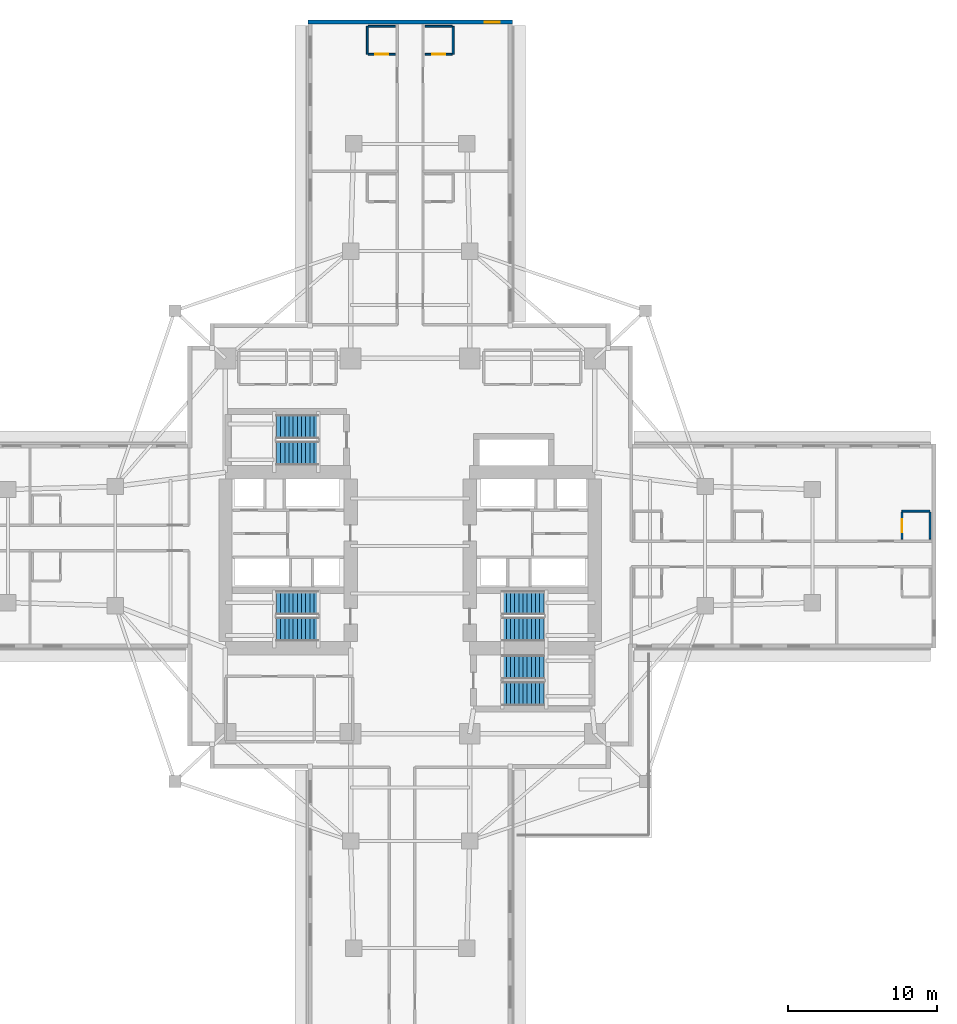
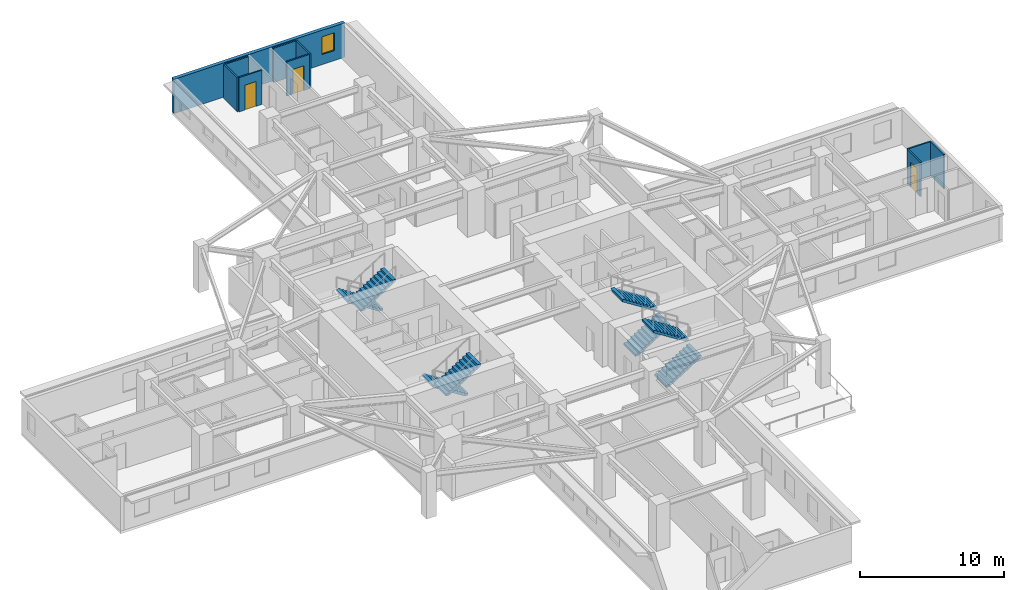
# One storey, part 8 of 13: 10 walls, 8 stair flights, 3 doors, 1 window, 4 openings, 4 elements without a shape of their own.
"""IFC4 building model written with IfcOpenShell, lengths in metres."""

import ifcopenshell
import ifcopenshell.guid

model = None  # the IFC model being written
_history = None  # IfcOwnerHistory: only IFC2X3 demands one
_inside = {}  # id of a spatial element -> (the spatial element, [elements in it])
_under = {}  # id of a project, library or spatial element -> (it, [spatial elements below it])
_declared = {}  # id of a project -> (the project, [libraries it declares])
_typed = {}  # id of a type object -> (the type object, [elements of that type])
_made_of = {}  # id of a material, layer set ... -> (it, [elements and type objects made of it])


def new_model(schema):
    """Start an empty IFC model of exactly this schema.

    Asked for "IFC4X3", IfcOpenShell would pick the latest addendum, in which some entities
    have other attributes; the version numbers below select the first issue.
    IFC2X3 requires an IfcOwnerHistory on every rooted entity: one is made here for all.
    """
    global model, _history
    if schema == "IFC4X3":
        model = ifcopenshell.file(schema_version=(4, 3, 0, 0))
    else:
        model = ifcopenshell.file(schema=schema)
    _inside.clear()
    _under.clear()
    _declared.clear()
    _typed.clear()
    _made_of.clear()
    _history = None
    if model.schema == "IFC2X3":
        org = make("IfcOrganization", Name="unknown")
        user = make(
            "IfcPersonAndOrganization",
            ThePerson=make("IfcPerson", FamilyName="unknown"),
            TheOrganization=org,
        )
        app = make(
            "IfcApplication",
            ApplicationDeveloper=org,
            Version="unknown",
            ApplicationFullName="unknown",
            ApplicationIdentifier="unknown",
        )
        _history = make(
            "IfcOwnerHistory",
            OwningUser=user,
            OwningApplication=app,
            ChangeAction="ADDED",
            CreationDate=0,
        )
    return model


def make(cls, **values):
    """One entity of the class cls with the attributes given. An attribute that is None is left unset."""
    return model.create_entity(
        cls, **{name: value for name, value in values.items() if value is not None}
    )


def rooted(cls, **values):
    """An entity with a GlobalId (a new one), such as an element, a storey or a relation."""
    return make(cls, GlobalId=ifcopenshell.guid.new(), OwnerHistory=_history, **values)


def si_unit(unit_type, name, prefix=None):
    """IfcSIUnit, for example si_unit("LENGTHUNIT", "METRE", prefix="MILLI")."""
    return make("IfcSIUnit", UnitType=unit_type, Prefix=prefix, Name=name)


def assignment(units):
    """IfcUnitAssignment: the units of a project."""
    return None if units is None else make("IfcUnitAssignment", Units=units)


def point(xyz):
    """IfcCartesianPoint."""
    return None if xyz is None else make("IfcCartesianPoint", Coordinates=xyz)


def direction(xyz):
    """IfcDirection."""
    return None if xyz is None else make("IfcDirection", DirectionRatios=xyz)


def frame(location, z_axis=None, x_axis=None):
    """IfcAxis2Placement3D, a coordinate frame: its origin and axes. An axis left out is left unset."""
    return make(
        "IfcAxis2Placement3D",
        Location=point(location),
        Axis=direction(z_axis),
        RefDirection=direction(x_axis),
    )


def frame_2d(location, x_axis=None):
    """IfcAxis2Placement2D, a coordinate frame in the plane: its origin and x axis."""
    return make(
        "IfcAxis2Placement2D", Location=point(location), RefDirection=direction(x_axis)
    )


def origin():
    """The frame at (0, 0, 0) with its axes left unset."""
    return frame((0.0, 0.0, 0.0))


def place(relative_to, where):
    """IfcLocalPlacement: puts the frame where relative to a parent placement (None: the world)."""
    return make(
        "IfcLocalPlacement", PlacementRelTo=relative_to, RelativePlacement=where
    )


def context(
    kind, dimensions, precision=None, world=None, true_north=None, identifier=None
):
    """IfcGeometricRepresentationContext, for example the 3D "Model" context."""
    return make(
        "IfcGeometricRepresentationContext",
        ContextIdentifier=identifier,
        ContextType=kind,
        CoordinateSpaceDimension=dimensions,
        Precision=precision,
        WorldCoordinateSystem=world,
        TrueNorth=true_north,
    )


def subcontext(parent, identifier, kind, view, scale=None):
    """IfcGeometricRepresentationSubContext, for example "Body" below "Model"."""
    return make(
        "IfcGeometricRepresentationSubContext",
        ContextIdentifier=identifier,
        ContextType=kind,
        ParentContext=parent,
        TargetScale=scale,
        TargetView=view,
    )


def project(units=None, contexts=None):
    """IfcProject with its units and contexts."""
    return rooted(
        "IfcProject",
        Name="project",
        RepresentationContexts=contexts,
        UnitsInContext=assignment(units),
    )


def spatial(cls, under=None, at=None, **own):
    """A site, building, storey or space (cls), placed at a placement, below another one or the project."""
    s = rooted(cls, ObjectPlacement=at, **own)
    if under is not None:
        _under.setdefault(under.id(), (under, []))[1].append(s)
    return s


def polyline(points):
    """IfcPolyline through the points."""
    return make("IfcPolyline", Points=[point(p) for p in points])


def profile(cls, at=None, kind="AREA", **sizes):
    """A parametric profile (cls). Its sizes go by their IFC names, for example OverallWidth=200.0."""
    return make(cls, ProfileType=kind, Position=at, **sizes)


def rectangle(**sizes):
    """IfcRectangleProfileDef."""
    return profile("IfcRectangleProfileDef", **sizes)


def outline(outer, holes=None, kind="AREA"):
    """IfcArbitraryClosedProfileDef: a profile drawn as a closed curve; with holes, ...WithVoids."""
    if holes is None:
        return make("IfcArbitraryClosedProfileDef", ProfileType=kind, OuterCurve=outer)
    return make(
        "IfcArbitraryProfileDefWithVoids",
        ProfileType=kind,
        OuterCurve=outer,
        InnerCurves=holes,
    )


def extrude(swept, where, along, depth):
    """IfcExtrudedAreaSolid: the profile swept, set in the frame where, extruded along a direction by depth."""
    return make(
        "IfcExtrudedAreaSolid",
        SweptArea=swept,
        Position=where,
        ExtrudedDirection=direction(along),
        Depth=depth,
    )


def shape(context_of_items, identifier, shape_type, items):
    """IfcShapeRepresentation: the items that make up one representation, for example the "Body"."""
    return make(
        "IfcShapeRepresentation",
        ContextOfItems=context_of_items,
        RepresentationIdentifier=identifier,
        RepresentationType=shape_type,
        Items=items,
    )


def material(Name=None, Category=None):
    """IfcMaterial."""
    return make("IfcMaterial", Name=Name, Category=Category)


def layer(
    of_material, thickness, ventilated=None, Name=None, Category=None, Priority=None
):
    """IfcMaterialLayer: one layer of a wall or slab, of a material (None: an air gap)."""
    return make(
        "IfcMaterialLayer",
        Material=of_material,
        LayerThickness=thickness,
        IsVentilated=ventilated,
        Name=Name,
        Category=Category,
        Priority=Priority,
    )


def layer_set(layers, Name=None):
    """IfcMaterialLayerSet."""
    return make("IfcMaterialLayerSet", MaterialLayers=layers, LayerSetName=Name)


def made_of(thing, what):
    """Note that an element or type object is made of a material, layer set ...; save() writes the relation."""
    if what is not None:
        _made_of.setdefault(what.id(), (what, []))[1].append(thing)
    return thing


def type_object(cls, material=None, **own):
    """A type object (cls), such as IfcWallType, which elements share."""
    return made_of(rooted(cls, **own), material)


def element(
    cls,
    number,
    at=None,
    inside=None,
    cuts=None,
    type_object=None,
    material=None,
    context=None,
    identifier="Body",
    shape_type=None,
    held_by="IfcProductDefinitionShape",
    body=None,
    shapes=None,
    **own,
):
    """One element of the class cls, such as IfcWall. Its Tag is "e" and its number.

    at: its placement. inside: the storey or other place that contains it. cuts: it is an
    opening in that element (IfcRelVoidsElement). A single representation is given by context,
    identifier, shape_type and body (its items); several are given by shapes. held_by: the class
    of the entity that holds the representations. save() writes the other relations.
    """
    e = rooted(cls, Tag="e%d" % number, ObjectPlacement=at, **own)
    if body is not None:
        shapes = [shape(context, identifier, shape_type, body)]
    if shapes is not None:
        e.Representation = make(held_by, Representations=shapes)
    if inside is not None:
        _inside.setdefault(inside.id(), (inside, []))[1].append(e)
    if cuts is not None:
        rooted(
            "IfcRelVoidsElement", RelatingBuildingElement=cuts, RelatedOpeningElement=e
        )
    if type_object is not None:
        _typed.setdefault(type_object.id(), (type_object, []))[1].append(e)
    return made_of(e, material)


def fill(opening, filler):
    """IfcRelFillsElement: the door or window that sits in an opening."""
    return rooted(
        "IfcRelFillsElement",
        RelatingOpeningElement=opening,
        RelatedBuildingElement=filler,
    )


def aggregate(whole, parts):
    """IfcRelAggregates: a whole, such as a stair, and the parts it consists of."""
    return rooted("IfcRelAggregates", RelatingObject=whole, RelatedObjects=parts)


def save(model, path):
    """Write the relations noted so far, then the file.

    IfcRelAggregates (storeys below a building ...), IfcRelContainedInSpatialStructure (elements
    in a storey), IfcRelDefinesByType, IfcRelAssociatesMaterial and IfcRelDeclares: one each for
    every whole, place, type object, material and project.
    """
    for whole, parts in _under.values():
        aggregate(whole, parts)
    for where, things in _inside.values():
        rooted(
            "IfcRelContainedInSpatialStructure",
            RelatedElements=things,
            RelatingStructure=where,
        )
    for kind, things in _typed.values():
        rooted("IfcRelDefinesByType", RelatedObjects=things, RelatingType=kind)
    for what, things in _made_of.values():
        rooted("IfcRelAssociatesMaterial", RelatedObjects=things, RelatingMaterial=what)
    for by, libraries in _declared.values():
        rooted("IfcRelDeclares", RelatingContext=by, RelatedDefinitions=libraries)
    model.write(path)


model = new_model("IFC4")

# Units and contexts
model_context = context("Model", 3, precision=1e-05, world=origin(), true_north=direction((0.0, 1.0)))
body_context = subcontext(model_context, "Body", "Model", "MODEL_VIEW")
ifc_project = project(units=[si_unit("LENGTHUNIT", "METRE"), si_unit("AREAUNIT", "SQUARE_METRE"), si_unit("VOLUMEUNIT", "CUBIC_METRE"), si_unit("PLANEANGLEUNIT", "RADIAN"), si_unit("MASSUNIT", "GRAM", prefix="KILO")], contexts=[model_context])

# Site, building, storey
site_placement = place(None, origin())
site = spatial("IfcSite", under=ifc_project, at=site_placement, CompositionType="ELEMENT")
building_placement = place(site_placement, origin())
building = spatial("IfcBuilding", under=site, at=building_placement, Name="Qingluan Cross Belvedere", CompositionType="ELEMENT")
storey_placement = place(building_placement, frame((0.0, 0.0, 63.89990234375)))
storey = spatial("IfcBuildingStorey", under=building, at=storey_placement, Name="L16", CompositionType="ELEMENT", Elevation=63.89990234375)

# Wall, opening, door
ifc_material_1 = material(Name="Moisture-resistant gypsum board lining")
ifc_layer_1 = layer(ifc_material_1, 0.1201171875, Name="EnsuiteWetPartition_120")
ifc_layer_set_1 = layer_set([ifc_layer_1], Name="Moisture-resistant gypsum board lining")
wall_type_1 = type_object("IfcWallType", Name="EnsuiteWetPartition_120", PredefinedType="PARTITIONING", material=ifc_layer_set_1)
wall_1_placement = place(storey_placement, frame((33.02001953125, 0.4599609375, 0.0), z_axis=(0.0, 0.0, 1.0), x_axis=(0.0, 1.0, 0.0)))
wall_1 = element("IfcWall", 1, at=wall_1_placement, inside=storey, type_object=wall_type_1, Name="Partition L16:E:bs0_2", PredefinedType="PARTITIONING", context=body_context, shape_type="SweptSolid", body=[
    extrude(rectangle(XDim=1.820068359375, YDim=0.1201171875, at=frame_2d((0.91015625, 0.0))), origin(), (0.0, 0.0, 1.0), 2.900146484375),
])
opening_1_placement = place(wall_1_placement, frame((0.469970703125, 0.0, 0.0)))
opening_1 = element("IfcOpeningElement", 2, at=opening_1_placement, cuts=wall_1, Name="Opening BD-09", PredefinedType="OPENING", context=body_context, shape_type="SweptSolid", body=[
    extrude(rectangle(XDim=0.8798828125, YDim=2.10009765625, at=frame_2d((0.43994140625, 1.050048828125))), frame((0.0, 0.070068359375, 0.0), z_axis=(0.0, -1.0, 0.0), x_axis=(1.0, 0.0, 0.0)), (0.0, 0.0, 1.0), 0.14013671875),
])
ifc_material_2 = material(Name="Moisture-sealed timber en-suite door", Category="wood")
door_type = type_object("IfcDoorType", Name="BathroomDoor_880", OperationType="NOTDEFINED", PredefinedType="DOOR", material=ifc_material_2)
door_1_placement = place(opening_1_placement, origin())
door_1 = element("IfcDoor", 3, at=door_1_placement, inside=storey, type_object=door_type, Name="Bathroom door 1603", OperationType="SINGLE_SWING_RIGHT", OverallHeight=2.10009765625, OverallWidth=0.8798828125, PredefinedType="DOOR", context=body_context, shape_type="SweptSolid", body=[
    extrude(rectangle(XDim=0.8798828125, YDim=2.10009765625, at=frame_2d((0.43994140625, 1.050048828125))), frame((0.0, 0.02490234375, 0.0), z_axis=(0.0, -1.0, 0.0), x_axis=(1.0, 0.0, 0.0)), (0.0, 0.0, 1.0), 0.050048828125),
])
fill(opening_1, door_1)

# Walls
wall_2_placement = place(storey_placement, frame((34.89990234375, 0.4599609375, 0.0), z_axis=(0.0, 0.0, 1.0), x_axis=(0.0, 1.0, 0.0)))
element("IfcWall", 4, at=wall_2_placement, inside=storey, type_object=wall_type_1, Name="Partition L16:E:bw0_2", PredefinedType="PARTITIONING", context=body_context, shape_type="SweptSolid", body=[
    extrude(rectangle(XDim=1.820068359375, YDim=0.1201171875, at=frame_2d((0.91015625, 0.0))), origin(), (0.0, 0.0, 1.0), 2.900146484375),
])
wall_3_placement = place(storey_placement, frame((33.02001953125, 2.344970703125, 0.0), z_axis=(0.0, 0.0, 1.0), x_axis=(1.0, 0.0, 0.0)))
element("IfcWall", 5, at=wall_3_placement, inside=storey, type_object=wall_type_1, Name="Partition L16:E:bn0_2", PredefinedType="PARTITIONING", context=body_context, shape_type="SweptSolid", body=[
    extrude(rectangle(XDim=1.8798828125, YDim=0.1201171875, at=frame_2d((0.93994140625, 0.0))), origin(), (0.0, 0.0, 1.0), 2.900146484375),
])

# Wall, opening, door
wall_4_placement = place(storey_placement, frame((1.0, 33.02001953125, 0.0), z_axis=(0.0, 0.0, 1.0), x_axis=(1.0, 0.0, 0.0)))
wall_4 = element("IfcWall", 6, at=wall_4_placement, inside=storey, type_object=wall_type_1, Name="Partition L16:N:bs0_1", PredefinedType="PARTITIONING", context=body_context, shape_type="SweptSolid", body=[
    extrude(rectangle(XDim=1.820068359375, YDim=0.1201171875, at=frame_2d((0.91015625, 0.0))), origin(), (0.0, 0.0, 1.0), 2.900146484375),
])
opening_2_placement = place(wall_4_placement, frame((0.469970703125, 0.0, 0.0)))
opening_2 = element("IfcOpeningElement", 7, at=opening_2_placement, cuts=wall_4, Name="Opening BD-09", PredefinedType="OPENING", context=body_context, shape_type="SweptSolid", body=[
    extrude(rectangle(XDim=0.8798828125, YDim=2.10009765625, at=frame_2d((0.43994140625, 1.050048828125))), frame((0.0, 0.070068359375, 0.0), z_axis=(0.0, -1.0, 0.0), x_axis=(1.0, 0.0, 0.0)), (0.0, 0.0, 1.0), 0.14013671875),
])
door_2_placement = place(opening_2_placement, origin())
door_2 = element("IfcDoor", 8, at=door_2_placement, inside=storey, type_object=door_type, Name="Bathroom door 1612", OperationType="SINGLE_SWING_RIGHT", OverallHeight=2.10009765625, OverallWidth=0.8798828125, PredefinedType="DOOR", context=body_context, shape_type="SweptSolid", body=[
    extrude(rectangle(XDim=0.8798828125, YDim=2.10009765625, at=frame_2d((0.43994140625, 1.050048828125))), frame((0.0, 0.02490234375, 0.0), z_axis=(0.0, -1.0, 0.0), x_axis=(1.0, 0.0, 0.0)), (0.0, 0.0, 1.0), 0.050048828125),
])
fill(opening_2, door_2)

# Walls
wall_5_placement = place(storey_placement, frame((1.0, 34.89990234375, 0.0), z_axis=(0.0, 0.0, 1.0), x_axis=(1.0, 0.0, 0.0)))
element("IfcWall", 9, at=wall_5_placement, inside=storey, type_object=wall_type_1, Name="Partition L16:N:bw0_1", PredefinedType="PARTITIONING", context=body_context, shape_type="SweptSolid", body=[
    extrude(rectangle(XDim=1.820068359375, YDim=0.1201171875, at=frame_2d((0.91015625, 0.0))), origin(), (0.0, 0.0, 1.0), 2.900146484375),
])
wall_6_placement = place(storey_placement, frame((2.885009765625, 33.02001953125, 0.0), z_axis=(0.0, 0.0, 1.0), x_axis=(0.0, 1.0, 0.0)))
element("IfcWall", 10, at=wall_6_placement, inside=storey, type_object=wall_type_1, Name="Partition L16:N:bn0_1", PredefinedType="PARTITIONING", context=body_context, shape_type="SweptSolid", body=[
    extrude(rectangle(XDim=1.8798828125, YDim=0.1201171875, at=frame_2d((0.93994140625, 0.0))), origin(), (0.0, 0.0, 1.0), 2.900146484375),
])

# Wall, opening, door
wall_7_placement = place(storey_placement, frame((-2.820068359375, 33.02001953125, 0.0), z_axis=(0.0, 0.0, 1.0), x_axis=(1.0, 0.0, 0.0)))
wall_7 = element("IfcWall", 11, at=wall_7_placement, inside=storey, type_object=wall_type_1, Name="Partition L16:N:bs1_1", PredefinedType="PARTITIONING", context=body_context, shape_type="SweptSolid", body=[
    extrude(rectangle(XDim=1.820068359375, YDim=0.1201171875, at=frame_2d((0.91015625, 0.0))), origin(), (0.0, 0.0, 1.0), 2.900146484375),
])
opening_3_placement = place(wall_7_placement, frame((0.469970703125, 0.0, 0.0)))
opening_3 = element("IfcOpeningElement", 12, at=opening_3_placement, cuts=wall_7, Name="Opening BD-09", PredefinedType="OPENING", context=body_context, shape_type="SweptSolid", body=[
    extrude(rectangle(XDim=0.8798828125, YDim=2.10009765625, at=frame_2d((0.43994140625, 1.050048828125))), frame((0.0, 0.070068359375, 0.0), z_axis=(0.0, -1.0, 0.0), x_axis=(1.0, 0.0, 0.0)), (0.0, 0.0, 1.0), 0.14013671875),
])
door_3_placement = place(opening_3_placement, origin())
door_3 = element("IfcDoor", 13, at=door_3_placement, inside=storey, type_object=door_type, Name="Bathroom door 1614", OperationType="SINGLE_SWING_RIGHT", OverallHeight=2.10009765625, OverallWidth=0.8798828125, PredefinedType="DOOR", context=body_context, shape_type="SweptSolid", body=[
    extrude(rectangle(XDim=0.8798828125, YDim=2.10009765625, at=frame_2d((0.43994140625, 1.050048828125))), frame((0.0, 0.02490234375, 0.0), z_axis=(0.0, -1.0, 0.0), x_axis=(1.0, 0.0, 0.0)), (0.0, 0.0, 1.0), 0.050048828125),
])
fill(opening_3, door_3)

# Walls
wall_8_placement = place(storey_placement, frame((-2.820068359375, 34.89990234375, 0.0), z_axis=(0.0, 0.0, 1.0), x_axis=(1.0, 0.0, 0.0)))
element("IfcWall", 14, at=wall_8_placement, inside=storey, type_object=wall_type_1, Name="Partition L16:N:bw1_1", PredefinedType="PARTITIONING", context=body_context, shape_type="SweptSolid", body=[
    extrude(rectangle(XDim=1.820068359375, YDim=0.1201171875, at=frame_2d((0.91015625, 0.0))), origin(), (0.0, 0.0, 1.0), 2.900146484375),
])
wall_9_placement = place(storey_placement, frame((-2.885009765625, 33.02001953125, 0.0), z_axis=(0.0, 0.0, 1.0), x_axis=(0.0, 1.0, 0.0)))
element("IfcWall", 15, at=wall_9_placement, inside=storey, type_object=wall_type_1, Name="Partition L16:N:bc1_1", PredefinedType="PARTITIONING", context=body_context, shape_type="SweptSolid", body=[
    extrude(rectangle(XDim=1.8798828125, YDim=0.1201171875, at=frame_2d((0.93994140625, 0.0))), origin(), (0.0, 0.0, 1.0), 2.900146484375),
])

# Wall, opening, window
ifc_material_3 = material(Name="Precast concrete C45", Category="concrete")
ifc_layer_2 = layer(ifc_material_3, 0.280029296875, Name="PrecastFacadeWall_280")
ifc_layer_set_2 = layer_set([ifc_layer_2], Name="Precast concrete C45")
wall_type_2 = type_object("IfcWallType", Name="PrecastFacadeWall_280", PredefinedType="STANDARD", material=ifc_layer_set_2)
wall_10_placement = place(storey_placement, frame((6.860107421875, 35.179931640625, 0.0), z_axis=(0.0, 0.0, 1.0), x_axis=(-1.0, 0.0, 0.0)))
wall_10 = element("IfcWall", 16, at=wall_10_placement, inside=storey, type_object=wall_type_2, Name="Arm tip precast facade wall L16-N", PredefinedType="STANDARD", context=body_context, shape_type="SweptSolid", body=[
    extrude(rectangle(XDim=13.72021484375, YDim=0.280029296875, at=frame_2d((6.860107421875, 0.0))), origin(), (0.0, 0.0, 1.0), 2.91015625),
])
opening_4_placement = place(wall_10_placement, frame((0.85009765625, 0.0, 0.85009765625)))
opening_4 = element("IfcOpeningElement", 17, at=opening_4_placement, cuts=wall_10, Name="Opening W-03", PredefinedType="OPENING", context=body_context, shape_type="SweptSolid", body=[
    extrude(rectangle(XDim=1.0, YDim=1.5, at=frame_2d((0.5, 0.75))), frame((0.0, 0.14990234375, 0.0), z_axis=(0.0, -1.0, 0.0), x_axis=(1.0, 0.0, 0.0)), (0.0, 0.0, 1.0), 0.300048828125),
])
ifc_material_4 = material(Name="Thermally broken triple Low-E glass in aluminium frame", Category="aluminium")
window_type = type_object("IfcWindowType", Name="TriApexWin_1000x1500", PartitioningType="SINGLE_PANEL", PredefinedType="WINDOW", material=ifc_material_4)
window_placement = place(opening_4_placement, origin())
window = element("IfcWindow", 18, at=window_placement, inside=storey, type_object=window_type, Name="Arm tip triangular window L16-N", OverallHeight=1.5, OverallWidth=1.0, PartitioningType="SINGLE_PANEL", PredefinedType="WINDOW", context=body_context, shape_type="SweptSolid", body=[
    extrude(rectangle(XDim=1.0, YDim=1.5, at=frame_2d((0.5, 0.75))), frame((0.0, 0.030029296875, 0.0), z_axis=(0.0, -1.0, 0.0), x_axis=(1.0, 0.0, 0.0)), (0.0, 0.0, 1.0), 0.06005859375),
])
fill(opening_4, window)

# Stair, stair flights
ifc_material_5 = material(Name="Concrete C40", Category="concrete")
stair_type = type_object("IfcStairType", Name="CoreDoglegStair_1620", PredefinedType="HALF_TURN_STAIR", material=ifc_material_5)
stair_1_placement = place(storey_placement, origin())
stair_1 = element("IfcStair", 19, at=stair_1_placement, inside=storey, type_object=stair_type, Name="L16 ST1", PredefinedType="HALF_TURN_STAIR")
ifc_material_6 = material(Name="Concrete C40", Category="concrete")
ifc_layer_3 = layer(ifc_material_6, 0.179931640625, Name="StairFlight_RC180")
ifc_layer_set_3 = layer_set([ifc_layer_3], Name="Concrete C40")
stair_flight_type = type_object("IfcStairFlightType", Name="StairFlight_RC180", PredefinedType="STRAIGHT", material=ifc_layer_set_3)
stair_flight_1_placement = place(storey_placement, frame((-6.179931640625, -3.81005859375, 0.0), z_axis=(0.0, 0.0, 1.0), x_axis=(-1.0, 0.0, 0.0)))
stair_flight_1 = element("IfcStairFlight", 20, at=stair_flight_1_placement, type_object=stair_flight_type, Name="ST1 flight 1", NumberOfRisers=11, NumberOfTreads=10, PredefinedType="STRAIGHT", RiserHeight=0.177272727, TreadLength=0.28, context=body_context, shape_type="SweptSolid", body=[
    extrude(outline(polyline([(0.0, 0.0), (0.0, 0.17724609375), (0.280029296875, 0.17724609375), (0.280029296875, 0.3544921875), (0.56005859375, 0.3544921875), (0.56005859375, 0.53173828125), (0.840087890625, 0.53173828125), (0.840087890625, 0.708984375), (1.1201171875, 0.708984375), (1.1201171875, 0.886474609375), (1.39990234375, 0.886474609375), (1.39990234375, 1.063720703125), (1.679931640625, 1.063720703125), (1.679931640625, 1.240966796875), (1.9599609375, 1.240966796875), (1.9599609375, 1.418212890625), (2.239990234375, 1.418212890625), (2.239990234375, 1.595458984375), (2.52001953125, 1.595458984375), (2.52001953125, 1.772705078125), (2.800048828125, 1.772705078125), (2.800048828125, 1.949951171875), (2.800048828125, 1.59521484375), (0.2802734375, 0.0), (0.0, 0.0)])), frame((0.0, 0.81005859375, 0.0), z_axis=(0.0, -1.0, 0.0), x_axis=(1.0, 0.0, 0.0)), (0.0, 0.0, 1.0), 1.6201171875),
])
stair_flight_2_placement = place(storey_placement, frame((-8.97998046875, -5.590087890625, 1.9501953125), z_axis=(0.0, 0.0, 1.0), x_axis=(1.0, 0.0, 0.0)))
stair_flight_2 = element("IfcStairFlight", 21, at=stair_flight_2_placement, type_object=stair_flight_type, Name="ST1 flight 2", NumberOfRisers=11, NumberOfTreads=10, PredefinedType="STRAIGHT", RiserHeight=0.177272727, TreadLength=0.28, context=body_context, shape_type="SweptSolid", body=[
    extrude(outline(polyline([(0.0, 0.0), (0.0, 0.17724609375), (0.280029296875, 0.17724609375), (0.280029296875, 0.3544921875), (0.56005859375, 0.3544921875), (0.56005859375, 0.53173828125), (0.840087890625, 0.53173828125), (0.840087890625, 0.708984375), (1.1201171875, 0.708984375), (1.1201171875, 0.886474609375), (1.39990234375, 0.886474609375), (1.39990234375, 1.063720703125), (1.679931640625, 1.063720703125), (1.679931640625, 1.240966796875), (1.9599609375, 1.240966796875), (1.9599609375, 1.418212890625), (2.239990234375, 1.418212890625), (2.239990234375, 1.595458984375), (2.52001953125, 1.595458984375), (2.52001953125, 1.772705078125), (2.800048828125, 1.772705078125), (2.800048828125, 1.949951171875), (2.800048828125, 1.59521484375), (0.2802734375, 0.0), (0.0, 0.0)])), frame((0.0, 0.81005859375, 0.0), z_axis=(0.0, -1.0, 0.0), x_axis=(1.0, 0.0, 0.0)), (0.0, 0.0, 1.0), 1.6201171875),
])
aggregate(stair_1, [stair_flight_1, stair_flight_2])

stair_2_placement = place(storey_placement, origin())
stair_2 = element("IfcStair", 22, at=stair_2_placement, inside=storey, type_object=stair_type, Name="L16 ST2", PredefinedType="HALF_TURN_STAIR")
stair_flight_3_placement = place(storey_placement, frame((6.179931640625, -5.590087890625, 0.0), z_axis=(0.0, 0.0, 1.0), x_axis=(1.0, 0.0, 0.0)))
stair_flight_3 = element("IfcStairFlight", 23, at=stair_flight_3_placement, type_object=stair_flight_type, Name="ST2 flight 1", NumberOfRisers=11, NumberOfTreads=10, PredefinedType="STRAIGHT", RiserHeight=0.177272727, TreadLength=0.28, context=body_context, shape_type="SweptSolid", body=[
    extrude(outline(polyline([(0.0, 0.0), (0.0, 0.17724609375), (0.280029296875, 0.17724609375), (0.280029296875, 0.3544921875), (0.56005859375, 0.3544921875), (0.56005859375, 0.53173828125), (0.840087890625, 0.53173828125), (0.840087890625, 0.708984375), (1.1201171875, 0.708984375), (1.1201171875, 0.886474609375), (1.39990234375, 0.886474609375), (1.39990234375, 1.063720703125), (1.679931640625, 1.063720703125), (1.679931640625, 1.240966796875), (1.9599609375, 1.240966796875), (1.9599609375, 1.418212890625), (2.239990234375, 1.418212890625), (2.239990234375, 1.595458984375), (2.52001953125, 1.595458984375), (2.52001953125, 1.772705078125), (2.800048828125, 1.772705078125), (2.800048828125, 1.949951171875), (2.800048828125, 1.59521484375), (0.2802734375, 0.0), (0.0, 0.0)])), frame((0.0, 0.81005859375, 0.0), z_axis=(0.0, -1.0, 0.0), x_axis=(1.0, 0.0, 0.0)), (0.0, 0.0, 1.0), 1.6201171875),
])
stair_flight_4_placement = place(storey_placement, frame((8.97998046875, -3.81005859375, 1.9501953125), z_axis=(0.0, 0.0, 1.0), x_axis=(-1.0, 0.0, 0.0)))
stair_flight_4 = element("IfcStairFlight", 24, at=stair_flight_4_placement, type_object=stair_flight_type, Name="ST2 flight 2", NumberOfRisers=11, NumberOfTreads=10, PredefinedType="STRAIGHT", RiserHeight=0.177272727, TreadLength=0.28, context=body_context, shape_type="SweptSolid", body=[
    extrude(outline(polyline([(0.0, 0.0), (0.0, 0.17724609375), (0.280029296875, 0.17724609375), (0.280029296875, 0.3544921875), (0.56005859375, 0.3544921875), (0.56005859375, 0.53173828125), (0.840087890625, 0.53173828125), (0.840087890625, 0.708984375), (1.1201171875, 0.708984375), (1.1201171875, 0.886474609375), (1.39990234375, 0.886474609375), (1.39990234375, 1.063720703125), (1.679931640625, 1.063720703125), (1.679931640625, 1.240966796875), (1.9599609375, 1.240966796875), (1.9599609375, 1.418212890625), (2.239990234375, 1.418212890625), (2.239990234375, 1.595458984375), (2.52001953125, 1.595458984375), (2.52001953125, 1.772705078125), (2.800048828125, 1.772705078125), (2.800048828125, 1.949951171875), (2.800048828125, 1.59521484375), (0.2802734375, 0.0), (0.0, 0.0)])), frame((0.0, 0.81005859375, 0.0), z_axis=(0.0, -1.0, 0.0), x_axis=(1.0, 0.0, 0.0)), (0.0, 0.0, 1.0), 1.6201171875),
])
aggregate(stair_2, [stair_flight_3, stair_flight_4])

stair_3_placement = place(storey_placement, origin())
stair_3 = element("IfcStair", 25, at=stair_3_placement, inside=storey, type_object=stair_type, Name="L16 ST3", PredefinedType="HALF_TURN_STAIR")
stair_flight_5_placement = place(storey_placement, frame((-6.179931640625, 8.010009765625, 0.0), z_axis=(0.0, 0.0, 1.0), x_axis=(-1.0, 0.0, 0.0)))
stair_flight_5 = element("IfcStairFlight", 26, at=stair_flight_5_placement, type_object=stair_flight_type, Name="ST3 flight 1", NumberOfRisers=11, NumberOfTreads=10, PredefinedType="STRAIGHT", RiserHeight=0.177272727, TreadLength=0.28, context=body_context, shape_type="SweptSolid", body=[
    extrude(outline(polyline([(0.0, 0.0), (0.0, 0.17724609375), (0.280029296875, 0.17724609375), (0.280029296875, 0.3544921875), (0.56005859375, 0.3544921875), (0.56005859375, 0.53173828125), (0.840087890625, 0.53173828125), (0.840087890625, 0.708984375), (1.1201171875, 0.708984375), (1.1201171875, 0.886474609375), (1.39990234375, 0.886474609375), (1.39990234375, 1.063720703125), (1.679931640625, 1.063720703125), (1.679931640625, 1.240966796875), (1.9599609375, 1.240966796875), (1.9599609375, 1.418212890625), (2.239990234375, 1.418212890625), (2.239990234375, 1.595458984375), (2.52001953125, 1.595458984375), (2.52001953125, 1.772705078125), (2.800048828125, 1.772705078125), (2.800048828125, 1.949951171875), (2.800048828125, 1.59521484375), (0.2802734375, 0.0), (0.0, 0.0)])), frame((0.0, 0.81005859375, 0.0), z_axis=(0.0, -1.0, 0.0), x_axis=(1.0, 0.0, 0.0)), (0.0, 0.0, 1.0), 1.6201171875),
])
stair_flight_6_placement = place(storey_placement, frame((-8.97998046875, 6.22998046875, 1.9501953125), z_axis=(0.0, 0.0, 1.0), x_axis=(1.0, 0.0, 0.0)))
stair_flight_6 = element("IfcStairFlight", 27, at=stair_flight_6_placement, type_object=stair_flight_type, Name="ST3 flight 2", NumberOfRisers=11, NumberOfTreads=10, PredefinedType="STRAIGHT", RiserHeight=0.177272727, TreadLength=0.28, context=body_context, shape_type="SweptSolid", body=[
    extrude(outline(polyline([(0.0, 0.0), (0.0, 0.17724609375), (0.280029296875, 0.17724609375), (0.280029296875, 0.3544921875), (0.56005859375, 0.3544921875), (0.56005859375, 0.53173828125), (0.840087890625, 0.53173828125), (0.840087890625, 0.708984375), (1.1201171875, 0.708984375), (1.1201171875, 0.886474609375), (1.39990234375, 0.886474609375), (1.39990234375, 1.063720703125), (1.679931640625, 1.063720703125), (1.679931640625, 1.240966796875), (1.9599609375, 1.240966796875), (1.9599609375, 1.418212890625), (2.239990234375, 1.418212890625), (2.239990234375, 1.595458984375), (2.52001953125, 1.595458984375), (2.52001953125, 1.772705078125), (2.800048828125, 1.772705078125), (2.800048828125, 1.949951171875), (2.800048828125, 1.59521484375), (0.2802734375, 0.0), (0.0, 0.0)])), frame((0.0, 0.81005859375, 0.0), z_axis=(0.0, -1.0, 0.0), x_axis=(1.0, 0.0, 0.0)), (0.0, 0.0, 1.0), 1.6201171875),
])
aggregate(stair_3, [stair_flight_5, stair_flight_6])

stair_4_placement = place(storey_placement, origin())
stair_4 = element("IfcStair", 28, at=stair_4_placement, inside=storey, type_object=stair_type, Name="L16 ST4", PredefinedType="HALF_TURN_STAIR")
stair_flight_7_placement = place(storey_placement, frame((6.179931640625, -9.909912109375, 0.0), z_axis=(0.0, 0.0, 1.0), x_axis=(1.0, 0.0, 0.0)))
stair_flight_7 = element("IfcStairFlight", 29, at=stair_flight_7_placement, type_object=stair_flight_type, Name="ST4 flight 1", NumberOfRisers=11, NumberOfTreads=10, PredefinedType="STRAIGHT", RiserHeight=0.177272727, TreadLength=0.28, context=body_context, shape_type="SweptSolid", body=[
    extrude(outline(polyline([(0.0, 0.0), (0.0, 0.17724609375), (0.280029296875, 0.17724609375), (0.280029296875, 0.3544921875), (0.56005859375, 0.3544921875), (0.56005859375, 0.53173828125), (0.840087890625, 0.53173828125), (0.840087890625, 0.708984375), (1.1201171875, 0.708984375), (1.1201171875, 0.886474609375), (1.39990234375, 0.886474609375), (1.39990234375, 1.063720703125), (1.679931640625, 1.063720703125), (1.679931640625, 1.240966796875), (1.9599609375, 1.240966796875), (1.9599609375, 1.418212890625), (2.239990234375, 1.418212890625), (2.239990234375, 1.595458984375), (2.52001953125, 1.595458984375), (2.52001953125, 1.772705078125), (2.800048828125, 1.772705078125), (2.800048828125, 1.949951171875), (2.800048828125, 1.59521484375), (0.2802734375, 0.0), (0.0, 0.0)])), frame((0.0, 0.81005859375, 0.0), z_axis=(0.0, -1.0, 0.0), x_axis=(1.0, 0.0, 0.0)), (0.0, 0.0, 1.0), 1.6201171875),
])
stair_flight_8_placement = place(storey_placement, frame((8.97998046875, -8.1298828125, 1.9501953125), z_axis=(0.0, 0.0, 1.0), x_axis=(-1.0, 0.0, 0.0)))
stair_flight_8 = element("IfcStairFlight", 30, at=stair_flight_8_placement, type_object=stair_flight_type, Name="ST4 flight 2", NumberOfRisers=11, NumberOfTreads=10, PredefinedType="STRAIGHT", RiserHeight=0.177272727, TreadLength=0.28, context=body_context, shape_type="SweptSolid", body=[
    extrude(outline(polyline([(0.0, 0.0), (0.0, 0.17724609375), (0.280029296875, 0.17724609375), (0.280029296875, 0.3544921875), (0.56005859375, 0.3544921875), (0.56005859375, 0.53173828125), (0.840087890625, 0.53173828125), (0.840087890625, 0.708984375), (1.1201171875, 0.708984375), (1.1201171875, 0.886474609375), (1.39990234375, 0.886474609375), (1.39990234375, 1.063720703125), (1.679931640625, 1.063720703125), (1.679931640625, 1.240966796875), (1.9599609375, 1.240966796875), (1.9599609375, 1.418212890625), (2.239990234375, 1.418212890625), (2.239990234375, 1.595458984375), (2.52001953125, 1.595458984375), (2.52001953125, 1.772705078125), (2.800048828125, 1.772705078125), (2.800048828125, 1.949951171875), (2.800048828125, 1.59521484375), (0.2802734375, 0.0), (0.0, 0.0)])), frame((0.0, 0.81005859375, 0.0), z_axis=(0.0, -1.0, 0.0), x_axis=(1.0, 0.0, 0.0)), (0.0, 0.0, 1.0), 1.6201171875),
])
aggregate(stair_4, [stair_flight_7, stair_flight_8])

save(model, "model.ifc")
